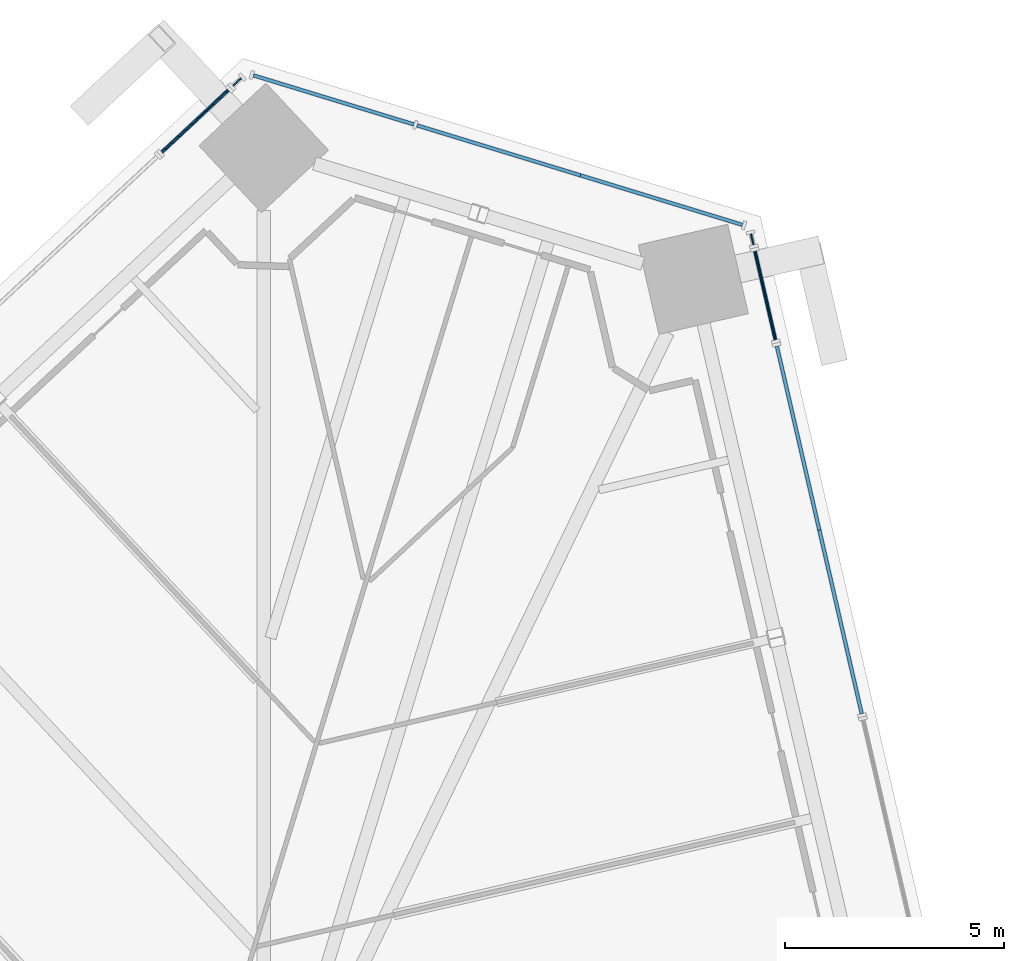
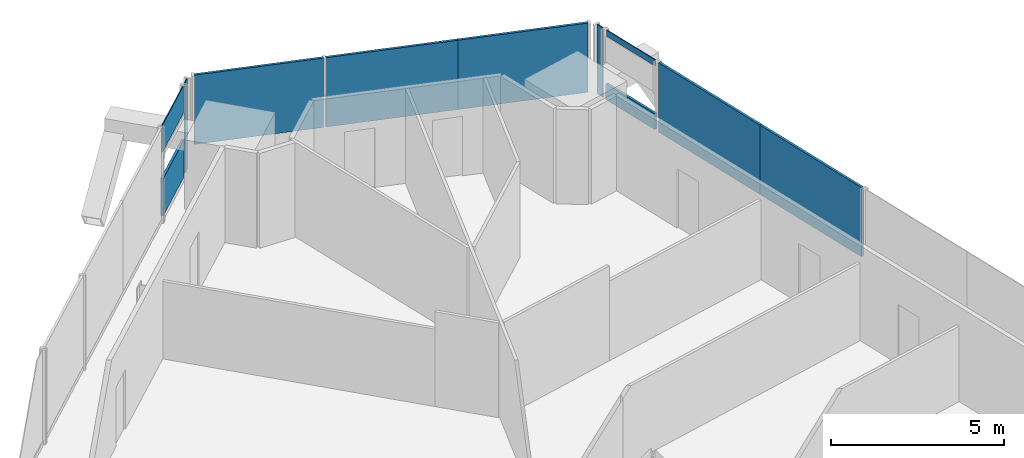
# One storey, part 16 of 25: 11 plates, 8 elements without a shape of their own.
"""IFC4 building model written with IfcOpenShell, lengths in metres."""

from ifc_helpers import new_model, si_unit, direction, frame, origin, origin_2d, place, context, subcontext, project, spatial, rectangle, extrude, source, transform, mapped, material, layer, layer_set, type_object, element, aggregate, save


model = new_model("IFC4")

# Units and contexts
model_context = context("Model", 3, precision=1e-05, world=origin(), true_north=direction((0.0, 1.0)))
body_context = subcontext(model_context, "Body", "Model", "MODEL_VIEW")
ifc_project = project(units=[si_unit("LENGTHUNIT", "METRE"), si_unit("AREAUNIT", "SQUARE_METRE"), si_unit("VOLUMEUNIT", "CUBIC_METRE"), si_unit("PLANEANGLEUNIT", "RADIAN"), si_unit("MASSUNIT", "GRAM", prefix="KILO")], contexts=[model_context])

# Site, building, storey
site_placement = place(None, origin())
site = spatial("IfcSite", under=ifc_project, at=site_placement, CompositionType="ELEMENT")
building_placement = place(site_placement, origin())
building = spatial("IfcBuilding", under=site, at=building_placement, Name="Triune Harvest Tower", CompositionType="ELEMENT")
storey_placement = place(building_placement, frame((0.0, 0.0, 130.699951171875)))
storey = spatial("IfcBuildingStorey", under=building, at=storey_placement, Name="L33", CompositionType="ELEMENT", Elevation=130.699951171875)

# Curtain wall, plate
ifc_material_1 = material(Name="Aluminium bronze anodised", Category="aluminium")
curtain_wall_type_1 = type_object("IfcCurtainWallType", Name="CW-6 Balcony window wall", PredefinedType="NOTDEFINED", material=ifc_material_1)
curtain_wall_1_placement = place(storey_placement, origin())
curtain_wall_1 = element("IfcCurtainWall", 1, at=curtain_wall_1_placement, inside=storey, type_object=curtain_wall_type_1, Name="CW-6 B3-F3 L33 run 1")
ifc_material_2 = material(Name="Glass", Category="glass")
ifc_layer_1 = layer(ifc_material_2, 0.030029296875)
ifc_layer_set_1 = layer_set([ifc_layer_1], Name="Glass")
plate_type_1 = type_object("IfcPlateType", Name="GL-6 panel 30", PredefinedType="CURTAIN_PANEL", material=ifc_layer_set_1)
plate_1_placement = place(storey_placement, frame((3.869873046875, 33.722900390625, 0.14990234375), z_axis=(0.0, 0.0, 1.0), x_axis=(-0.731435852304, -0.6819102536, 0.0)))
plate_1 = element("IfcPlate", 2, at=plate_1_placement, type_object=plate_type_1, Name="CW-6 panel B3-F3 1.1", PredefinedType="CURTAIN_PANEL", context=body_context, shape_type="SweptSolid", body=[
    extrude(rectangle(XDim=0.251708984375, YDim=0.030029296875, at=origin_2d()), origin(), (0.0, 0.0, 1.0), 3.199951171875),
])
aggregate(curtain_wall_1, [plate_1])

curtain_wall_2_placement = place(storey_placement, origin())
curtain_wall_2 = element("IfcCurtainWall", 3, at=curtain_wall_2_placement, inside=storey, type_object=curtain_wall_type_1, Name="CW-6 B3-F3 L33 run 201")
plate_2_placement = place(storey_placement, frame((2.90673828125, 32.82470703125, 2.384765625), z_axis=(0.0, 0.0, 1.0), x_axis=(-0.731338256304, -0.682014922759, 0.0)))
plate_2 = element("IfcPlate", 4, at=plate_2_placement, type_object=plate_type_1, Name="CW-6 panel B3-F3 201.1", PredefinedType="CURTAIN_PANEL", context=body_context, shape_type="SweptSolid", body=[
    extrude(rectangle(XDim=2.082275390625, YDim=0.030029296875, at=origin_2d()), origin(), (0.0, 0.0, 1.0), 0.965087890625),
])
aggregate(curtain_wall_2, [plate_2])

ifc_material_3 = material(Name="Aluminium bronze anodised", Category="aluminium")
curtain_wall_type_2 = type_object("IfcCurtainWallType", Name="CW-10 Balcony window wall with insulated spandrel infill", PredefinedType="NOTDEFINED", material=ifc_material_3)
curtain_wall_3_placement = place(storey_placement, origin())
curtain_wall_3 = element("IfcCurtainWall", 5, at=curtain_wall_3_placement, inside=storey, type_object=curtain_wall_type_2, Name="CW-10 B3-F3 L33 run 101")
ifc_material_4 = material(Name="Insulated spandrel panel, bronze aluminium pan", Category="aluminium")
ifc_layer_2 = layer(ifc_material_4, 0.080078125)
ifc_layer_set_2 = layer_set([ifc_layer_2], Name="Insulated spandrel panel, bronze aluminium pan")
plate_type_2 = type_object("IfcPlateType", Name="SP-1 insulated spandrel panel 80", PredefinedType="CURTAIN_PANEL", material=ifc_layer_set_2)
plate_3_placement = place(storey_placement, frame((2.90673828125, 32.82470703125, 0.150146484375), z_axis=(0.0, 0.0, 1.0), x_axis=(-0.731338256304, -0.682014922759, 0.0)))
plate_3 = element("IfcPlate", 6, at=plate_3_placement, type_object=plate_type_2, Name="CW-10 panel B3-F3 101.1", PredefinedType="CURTAIN_PANEL", context=body_context, shape_type="SweptSolid", body=[
    extrude(rectangle(XDim=2.082275390625, YDim=0.080078125, at=origin_2d()), origin(), (0.0, 0.0, 1.0), 1.31494140625),
])
aggregate(curtain_wall_3, [plate_3])

# Curtain wall, plates
ifc_material_5 = material(Name="Aluminium bronze anodised", Category="aluminium")
curtain_wall_type_3 = type_object("IfcCurtainWallType", Name="CW-7 Tower stick curtain wall with insulated spandrel infill", PredefinedType="NOTDEFINED", material=ifc_material_5)
curtain_wall_4_placement = place(storey_placement, origin())
curtain_wall_4 = element("IfcCurtainWall", 7, at=curtain_wall_4_placement, inside=storey, type_object=curtain_wall_type_3, Name="CW-7 B3-F1 L33 run 6201")
shared_shape_1 = source(origin(), body_context, "Body", "SweptSolid", [
    extrude(rectangle(XDim=4.311767578125, YDim=0.080078125, at=origin_2d()), origin(), (0.0, 0.0, 1.0), 2.449951171875),
])
plate_4_placement = place(storey_placement, frame((17.66845703125, 21.375732421875, 0.89990234375), z_axis=(0.0, 0.0, 1.0), x_axis=(-0.224948575724, 0.974370637016, 0.0)))
plate_4 = element("IfcPlate", 8, at=plate_4_placement, type_object=plate_type_2, Name="CW-7 panel B3-F1 6201.1", PredefinedType="CURTAIN_PANEL", context=body_context, shape_type="MappedRepresentation", body=[
    mapped(shared_shape_1, transform((0.0, 0.0, 0.0), scale=1.0)),
])
plate_5_placement = place(storey_placement, frame((16.69873046875, 25.5771484375, 0.89990234375), z_axis=(0.0, 0.0, 1.0), x_axis=(-0.224948575724, 0.974370637016, 0.0)))
plate_5 = element("IfcPlate", 9, at=plate_5_placement, type_object=plate_type_2, Name="CW-7 panel B3-F1 6201.2", PredefinedType="CURTAIN_PANEL", context=body_context, shape_type="MappedRepresentation", body=[
    mapped(shared_shape_1, transform((0.0, 0.0, 0.0), scale=1.0)),
])
aggregate(curtain_wall_4, [plate_4, plate_5])

# Curtain wall, plate
curtain_wall_5_placement = place(storey_placement, origin())
curtain_wall_5 = element("IfcCurtainWall", 10, at=curtain_wall_5_placement, inside=storey, type_object=curtain_wall_type_3, Name="CW-7 B3-F1 L33 run 301")
shared_shape_2 = source(origin(), body_context, "Body", "SweptSolid", [
    extrude(rectangle(XDim=2.082275390625, YDim=0.080078125, at=origin_2d()), origin(), (0.0, 0.0, 1.0), 0.56494140625),
])
plate_6_placement = place(storey_placement, frame((15.94580078125, 28.83837890625, 0.900146484375), z_axis=(0.0, 0.0, 1.0), x_axis=(-0.224967469644, 0.974366274869, 0.0)))
plate_6 = element("IfcPlate", 11, at=plate_6_placement, type_object=plate_type_2, Name="CW-7 panel B3-F1 301.1", PredefinedType="CURTAIN_PANEL", context=body_context, shape_type="MappedRepresentation", body=[
    mapped(shared_shape_2, transform((0.0, 0.0, 0.0), scale=1.0)),
])
aggregate(curtain_wall_5, [plate_6])

ifc_material_6 = material(Name="Aluminium bronze anodised", Category="aluminium")
curtain_wall_type_4 = type_object("IfcCurtainWallType", Name="CW-1 Tower stick curtain wall", PredefinedType="NOTDEFINED", material=ifc_material_6)
curtain_wall_6_placement = place(storey_placement, origin())
curtain_wall_6 = element("IfcCurtainWall", 12, at=curtain_wall_6_placement, inside=storey, type_object=curtain_wall_type_4, Name="CW-1 B3-F1 L33 run 401")
ifc_material_7 = material(Name="Glass", Category="glass")
ifc_layer_3 = layer(ifc_material_7, 0.031982421875)
ifc_layer_set_3 = layer_set([ifc_layer_3], Name="Glass")
plate_type_3 = type_object("IfcPlateType", Name="GL-1 panel 32", PredefinedType="CURTAIN_PANEL", material=ifc_layer_set_3)
shared_shape_3 = source(origin(), body_context, "Body", "SweptSolid", [
    extrude(rectangle(XDim=2.082275390625, YDim=0.031982421875, at=origin_2d()), origin(), (0.0, 0.0, 1.0), 0.215087890625),
])
plate_7_placement = place(storey_placement, frame((15.94580078125, 28.83837890625, 3.134765625), z_axis=(0.0, 0.0, 1.0), x_axis=(-0.224967469644, 0.974366274869, 0.0)))
plate_7 = element("IfcPlate", 13, at=plate_7_placement, type_object=plate_type_3, Name="CW-1 panel B3-F1 401.1", PredefinedType="CURTAIN_PANEL", context=body_context, shape_type="MappedRepresentation", body=[
    mapped(shared_shape_3, transform((0.0, 0.0, 0.0), scale=1.0)),
])
aggregate(curtain_wall_6, [plate_7])

curtain_wall_7_placement = place(storey_placement, origin())
curtain_wall_7 = element("IfcCurtainWall", 14, at=curtain_wall_7_placement, inside=storey, type_object=curtain_wall_type_4, Name="CW-1 B3-F1 L33 run 501")
shared_shape_4 = source(origin(), body_context, "Body", "SweptSolid", [
    extrude(rectangle(XDim=0.251708984375, YDim=0.031982421875, at=origin_2d()), origin(), (0.0, 0.0, 1.0), 2.449951171875),
])
plate_8_placement = place(storey_placement, frame((15.6494140625, 30.12158203125, 0.89990234375), z_axis=(0.0, 0.0, 1.0), x_axis=(-0.225041312542, 0.974349222635, 0.0)))
plate_8 = element("IfcPlate", 15, at=plate_8_placement, type_object=plate_type_3, Name="CW-1 panel B3-F1 501.1", PredefinedType="CURTAIN_PANEL", context=body_context, shape_type="MappedRepresentation", body=[
    mapped(shared_shape_4, transform((0.0, 0.0, 0.0), scale=1.0)),
])
aggregate(curtain_wall_7, [plate_8])

# Curtain wall, plates
curtain_wall_8_placement = place(storey_placement, origin())
curtain_wall_8 = element("IfcCurtainWall", 16, at=curtain_wall_8_placement, inside=storey, type_object=curtain_wall_type_3, Name="CW-7 B3-F2 L33 run 1")
shared_shape_5 = source(origin(), body_context, "Body", "SweptSolid", [
    extrude(rectangle(XDim=3.8740234375, YDim=0.080078125, at=origin_2d()), origin(), (0.0, 0.0, 1.0), 2.449951171875),
])
plate_9_placement = place(storey_placement, frame((13.573974609375, 31.01953125, 0.89990234375), z_axis=(0.0, 0.0, 1.0), x_axis=(-0.956303148607, 0.292376962095, 0.0)))
plate_9 = element("IfcPlate", 17, at=plate_9_placement, type_object=plate_type_2, Name="CW-7 panel B3-F2 1.1", PredefinedType="CURTAIN_PANEL", context=body_context, shape_type="MappedRepresentation", body=[
    mapped(shared_shape_5, transform((0.0, 0.0, 0.0), scale=1.0)),
])
shared_shape_6 = source(origin(), body_context, "Body", "SweptSolid", [
    extrude(rectangle(XDim=3.911376953125, YDim=0.080078125, at=origin_2d()), origin(), (0.0, 0.0, 1.0), 2.449951171875),
])
plate_10_placement = place(storey_placement, frame((9.851318359375, 32.15771484375, 0.89990234375), z_axis=(0.0, 0.0, 1.0), x_axis=(-0.956303148607, 0.292376962095, 0.0)))
plate_10 = element("IfcPlate", 18, at=plate_10_placement, type_object=plate_type_2, Name="CW-7 panel B3-F2 1.2", PredefinedType="CURTAIN_PANEL", context=body_context, shape_type="MappedRepresentation", body=[
    mapped(shared_shape_6, transform((0.0, 0.0, 0.0), scale=1.0)),
])
shared_shape_7 = source(origin(), body_context, "Body", "SweptSolid", [
    extrude(rectangle(XDim=3.83642578125, YDim=0.080078125, at=origin_2d()), origin(), (0.0, 0.0, 1.0), 2.449951171875),
])
plate_11_placement = place(storey_placement, frame((6.07470703125, 33.312255859375, 0.89990234375), z_axis=(0.0, 0.0, 1.0), x_axis=(-0.956303148607, 0.292376962095, 0.0)))
plate_11 = element("IfcPlate", 19, at=plate_11_placement, type_object=plate_type_2, Name="CW-7 panel B3-F2 1.3", PredefinedType="CURTAIN_PANEL", context=body_context, shape_type="MappedRepresentation", body=[
    mapped(shared_shape_7, transform((0.0, 0.0, 0.0), scale=1.0)),
])
aggregate(curtain_wall_8, [plate_9, plate_10, plate_11])

save(model, "model.ifc")
